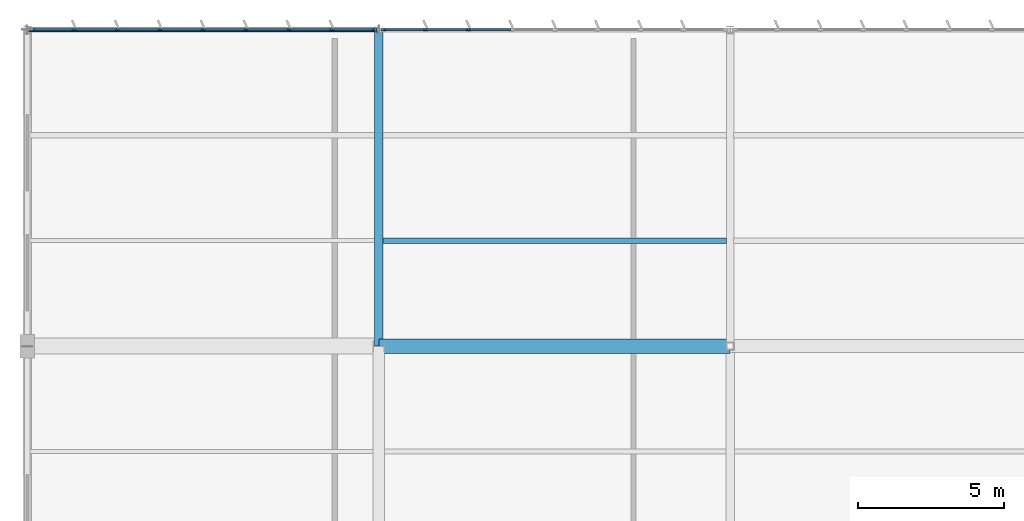
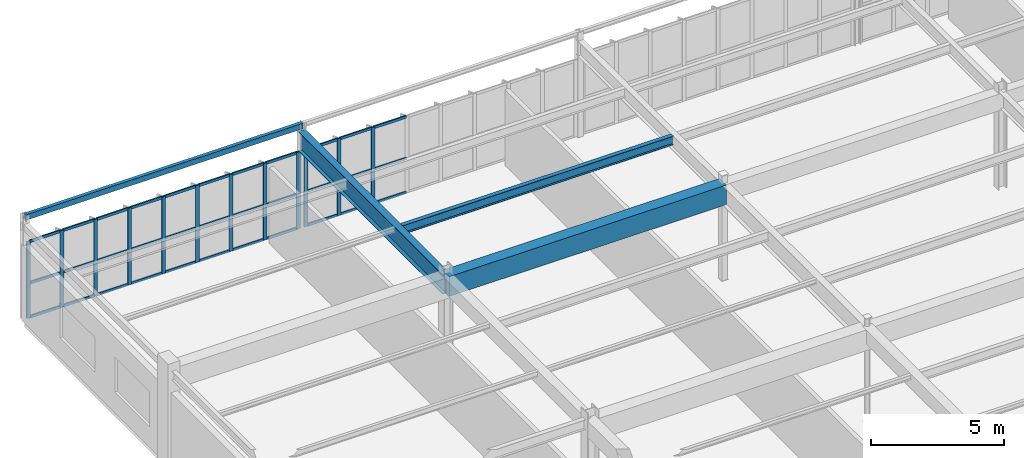
# One storey, part 91 of 226: 45 members, 4 beams, 2 elements without a shape of their own.
"""IFC4 building model written with IfcOpenShell, lengths in metres."""

from ifc_helpers import new_model, si_unit, direction, frame, origin, origin_2d, place, context, subcontext, project, spatial, rectangle, hollow_rectangle, i_section, extrude, material, layer, layer_set, material_profile, profile_set, type_object, element, aggregate, save


model = new_model("IFC4")

# Units and contexts
model_context = context("Model", 3, precision=1e-05, world=origin(), true_north=direction((0.0, 1.0)))
body_context = subcontext(model_context, "Body", "Model", "MODEL_VIEW")
ifc_project = project(units=[si_unit("LENGTHUNIT", "METRE"), si_unit("AREAUNIT", "SQUARE_METRE"), si_unit("VOLUMEUNIT", "CUBIC_METRE"), si_unit("PLANEANGLEUNIT", "RADIAN"), si_unit("MASSUNIT", "GRAM", prefix="KILO")], contexts=[model_context])

# Site, building, storey
site_placement = place(None, origin())
site = spatial("IfcSite", under=ifc_project, at=site_placement, CompositionType="ELEMENT")
building_placement = place(site_placement, origin())
building = spatial("IfcBuilding", under=site, at=building_placement, Name="Tarnwether General Hospital", CompositionType="ELEMENT")
storey_placement = place(building_placement, frame((0.0, 0.0, 4.800048828125)))
storey = spatial("IfcBuildingStorey", under=building, at=storey_placement, Name="L01", CompositionType="ELEMENT", Elevation=4.800048828125)

# Beams
ifc_material_1 = material(Name="Steel Grade 350 (350 MPa)", Category="steel")
ifc_material_profile_1 = material_profile(ifc_material_1, i_section(OverallWidth=0.300048828125, OverallDepth=0.89990234375, WebThickness=0.011962890625, FlangeThickness=0.02001953125, at=origin_2d()), Name="900WB175")
ifc_profile_set_1 = profile_set([ifc_material_profile_1], Name="Steel Grade 350 (350 MPa)")
beam_type_1 = type_object("IfcBeamType", Name="BM-G01", PredefinedType="BEAM", material=ifc_profile_set_1)
beam_1_placement = place(storey_placement, frame((12.0, 115.199951171875, 3.97998046875), z_axis=(0.0, 1.0, 0.0), x_axis=(-1.0, 0.0, 0.0)))
element("IfcBeam", 1, at=beam_1_placement, inside=storey, type_object=beam_type_1, Name="Primary Girder BMG-L01-1200_11520-1200_12600-1073", PredefinedType="BEAM", context=body_context, shape_type="SweptSolid", body=[
    extrude(i_section(OverallWidth=0.300048828125, OverallDepth=0.89990234375, WebThickness=0.011962890625, FlangeThickness=0.02001953125, at=origin_2d()), origin(), (0.0, 0.0, 1.0), 10.800048828125),
])
ifc_material_2 = material(Name="Concrete 40 MPa", Category="concrete")
ifc_material_profile_2 = material_profile(ifc_material_2, rectangle(XDim=0.5, YDim=0.89990234375, at=origin_2d()), Name="RC-BM-500x900")
ifc_profile_set_2 = profile_set([ifc_material_profile_2], Name="Concrete 40 MPa")
beam_type_2 = type_object("IfcBeamType", Name="BM-G12", PredefinedType="BEAM", material=ifc_profile_set_2)
beam_2_placement = place(storey_placement, frame((12.0, 115.199951171875, 3.97998046875), z_axis=(1.0, 0.0, 0.0), x_axis=(0.0, 1.0, 0.0)))
element("IfcBeam", 2, at=beam_2_placement, inside=storey, type_object=beam_type_2, Name="Primary Girder BMG-L01-1200_11520-2400_11520-1072", PredefinedType="BEAM", context=body_context, shape_type="SweptSolid", body=[
    extrude(rectangle(XDim=0.5, YDim=0.89990234375, at=origin_2d()), origin(), (0.0, 0.0, 1.0), 12.0),
])
ifc_material_3 = material(Name="Steel Grade 350 (350 MPa)", Category="steel")
ifc_material_profile_3 = material_profile(ifc_material_3, i_section(OverallWidth=0.177978515625, OverallDepth=0.406005859375, WebThickness=0.0078125, FlangeThickness=0.0126953125, at=origin_2d()), Name="410UB59.7")
ifc_profile_set_3 = profile_set([ifc_material_profile_3], Name="Steel Grade 350 (350 MPa)")
beam_type_3 = type_object("IfcBeamType", Name="BM-J01", PredefinedType="JOIST", material=ifc_profile_set_3)
beam_3_placement = place(storey_placement, frame((12.14404296875, 118.800048828125, 4.22705078125), z_axis=(1.0, 0.0, 0.0), x_axis=(0.0, 1.0, 0.0)))
element("IfcBeam", 3, at=beam_3_placement, inside=storey, type_object=beam_type_3, Name="Composite Floor Joist BMG-L01-1214_11880-2388_11880-1317", PredefinedType="JOIST", context=body_context, shape_type="SweptSolid", body=[
    extrude(i_section(OverallWidth=0.177978515625, OverallDepth=0.406005859375, WebThickness=0.0078125, FlangeThickness=0.0126953125, at=origin_2d()), origin(), (0.0, 0.0, 1.0), 11.737060546875),
])
ifc_material_4 = material(Name="Steel Grade C350L0 (350 MPa)", Category="steel")
ifc_material_profile_4 = material_profile(ifc_material_4, hollow_rectangle(XDim=0.14990234375, YDim=0.25, WallThickness=0.010009765625, at=origin_2d()), Name="RHS250x150x10")
ifc_profile_set_4 = profile_set([ifc_material_profile_4], Name="Steel Grade C350L0 (350 MPa)")
beam_type_4 = type_object("IfcBeamType", Name="BM-SP4", PredefinedType="SPANDREL", material=ifc_profile_set_4)
beam_4_placement = place(storey_placement, frame((0.0, 126.0, 4.675048828125), z_axis=(1.0, 0.0, 0.0), x_axis=(0.0, 1.0, 0.0)))
element("IfcBeam", 4, at=beam_4_placement, inside=storey, type_object=beam_type_4, Name="Primary Girder BMG-L01-0_12600-1200_12600-1059", PredefinedType="SPANDREL", context=body_context, shape_type="SweptSolid", body=[
    extrude(hollow_rectangle(XDim=0.14990234375, YDim=0.25, WallThickness=0.010009765625, at=origin_2d()), origin(), (0.0, 0.0, 1.0), 12.0),
])

# Curtain wall, members
ifc_material_5 = material(Name="Anodised aluminium", Category="aluminium")
ifc_layer = layer(ifc_material_5, 0.159912109375)
ifc_layer_set = layer_set([ifc_layer], Name="Anodised aluminium")
curtain_wall_type = type_object("IfcCurtainWallType", Name="CW-12", PredefinedType="NOTDEFINED", material=ifc_layer_set)
curtain_wall_1_placement = place(storey_placement, origin())
curtain_wall_1 = element("IfcCurtainWall", 5, at=curtain_wall_1_placement, inside=storey, type_object=curtain_wall_type, Name="Curtain Wall CWG-L01-1_1260-0317", PredefinedType="NOTDEFINED")
ifc_material_6 = material(Name="Anodised aluminium", Category="aluminium")
ifc_material_profile_5 = material_profile(ifc_material_6, rectangle(XDim=0.06005859375, YDim=0.159912109375, at=origin_2d()), Name="ALU-MUL-60x160")
ifc_profile_set_5 = profile_set([ifc_material_profile_5], Name="Anodised aluminium")
member_type_1 = type_object("IfcMemberType", Name="CW-ML1", PredefinedType="MULLION", material=ifc_profile_set_5)
member_1_placement = place(storey_placement, frame((0.1650390625, 126.0, 0.0), z_axis=(0.0, 0.0, 1.0), x_axis=(0.0, 1.0, 0.0)))
member_1 = element("IfcMember", 6, at=member_1_placement, type_object=member_type_1, Name="CW-12 mullion 1", PredefinedType="MULLION", context=body_context, shape_type="SweptSolid", body=[
    extrude(rectangle(XDim=0.06005859375, YDim=0.159912109375, at=origin_2d()), origin(), (0.0, 0.0, 1.0), 3.514892578125),
])
member_2_placement = place(storey_placement, frame((1.601318359375, 126.0, 0.0), z_axis=(0.0, 0.0, 1.0), x_axis=(0.0, 1.0, 0.0)))
member_2 = element("IfcMember", 7, at=member_2_placement, type_object=member_type_1, Name="CW-12 mullion 2", PredefinedType="MULLION", context=body_context, shape_type="SweptSolid", body=[
    extrude(rectangle(XDim=0.06005859375, YDim=0.159912109375, at=origin_2d()), origin(), (0.0, 0.0, 1.0), 3.514892578125),
])
member_3_placement = place(storey_placement, frame((3.0673828125, 126.0, 0.0), z_axis=(0.0, 0.0, 1.0), x_axis=(0.0, 1.0, 0.0)))
member_3 = element("IfcMember", 8, at=member_3_placement, type_object=member_type_1, Name="CW-12 mullion 3", PredefinedType="MULLION", context=body_context, shape_type="SweptSolid", body=[
    extrude(rectangle(XDim=0.06005859375, YDim=0.159912109375, at=origin_2d()), origin(), (0.0, 0.0, 1.0), 3.514892578125),
])
member_4_placement = place(storey_placement, frame((4.53369140625, 126.0, 0.0), z_axis=(0.0, 0.0, 1.0), x_axis=(0.0, 1.0, 0.0)))
member_4 = element("IfcMember", 9, at=member_4_placement, type_object=member_type_1, Name="CW-12 mullion 4", PredefinedType="MULLION", context=body_context, shape_type="SweptSolid", body=[
    extrude(rectangle(XDim=0.06005859375, YDim=0.159912109375, at=origin_2d()), origin(), (0.0, 0.0, 1.0), 3.514892578125),
])
member_5_placement = place(storey_placement, frame((6.0, 126.0, 0.0), z_axis=(0.0, 0.0, 1.0), x_axis=(0.0, 1.0, 0.0)))
member_5 = element("IfcMember", 10, at=member_5_placement, type_object=member_type_1, Name="CW-12 mullion 5", PredefinedType="MULLION", context=body_context, shape_type="SweptSolid", body=[
    extrude(rectangle(XDim=0.06005859375, YDim=0.159912109375, at=origin_2d()), origin(), (0.0, 0.0, 1.0), 3.514892578125),
])
member_6_placement = place(storey_placement, frame((7.46630859375, 126.0, 0.0), z_axis=(0.0, 0.0, 1.0), x_axis=(0.0, 1.0, 0.0)))
member_6 = element("IfcMember", 11, at=member_6_placement, type_object=member_type_1, Name="CW-12 mullion 6", PredefinedType="MULLION", context=body_context, shape_type="SweptSolid", body=[
    extrude(rectangle(XDim=0.06005859375, YDim=0.159912109375, at=origin_2d()), origin(), (0.0, 0.0, 1.0), 3.514892578125),
])
member_7_placement = place(storey_placement, frame((8.9326171875, 126.0, 0.0), z_axis=(0.0, 0.0, 1.0), x_axis=(0.0, 1.0, 0.0)))
member_7 = element("IfcMember", 12, at=member_7_placement, type_object=member_type_1, Name="CW-12 mullion 7", PredefinedType="MULLION", context=body_context, shape_type="SweptSolid", body=[
    extrude(rectangle(XDim=0.06005859375, YDim=0.159912109375, at=origin_2d()), origin(), (0.0, 0.0, 1.0), 3.514892578125),
])
member_8_placement = place(storey_placement, frame((10.398681640625, 126.0, 0.0), z_axis=(0.0, 0.0, 1.0), x_axis=(0.0, 1.0, 0.0)))
member_8 = element("IfcMember", 13, at=member_8_placement, type_object=member_type_1, Name="CW-12 mullion 8", PredefinedType="MULLION", context=body_context, shape_type="SweptSolid", body=[
    extrude(rectangle(XDim=0.06005859375, YDim=0.159912109375, at=origin_2d()), origin(), (0.0, 0.0, 1.0), 3.514892578125),
])
member_9_placement = place(storey_placement, frame((11.8349609375, 126.0, 0.0), z_axis=(0.0, 0.0, 1.0), x_axis=(0.0, 1.0, 0.0)))
member_9 = element("IfcMember", 14, at=member_9_placement, type_object=member_type_1, Name="CW-12 mullion 9", PredefinedType="MULLION", context=body_context, shape_type="SweptSolid", body=[
    extrude(rectangle(XDim=0.06005859375, YDim=0.159912109375, at=origin_2d()), origin(), (0.0, 0.0, 1.0), 3.514892578125),
])

curtain_wall_2_placement = place(storey_placement, origin())
curtain_wall_2 = element("IfcCurtainWall", 15, at=curtain_wall_2_placement, inside=storey, type_object=curtain_wall_type, Name="Curtain Wall CWG-L01-121_1260-0318", PredefinedType="NOTDEFINED")
member_10_placement = place(storey_placement, frame((12.1650390625, 126.0, 0.0), z_axis=(0.0, 0.0, 1.0), x_axis=(0.0, 1.0, 0.0)))
member_10 = element("IfcMember", 16, at=member_10_placement, type_object=member_type_1, Name="CW-12 mullion 1", PredefinedType="MULLION", context=body_context, shape_type="SweptSolid", body=[
    extrude(rectangle(XDim=0.06005859375, YDim=0.159912109375, at=origin_2d()), origin(), (0.0, 0.0, 1.0), 3.514892578125),
])
member_11_placement = place(storey_placement, frame((13.601318359375, 126.0, 0.0), z_axis=(0.0, 0.0, 1.0), x_axis=(0.0, 1.0, 0.0)))
member_11 = element("IfcMember", 17, at=member_11_placement, type_object=member_type_1, Name="CW-12 mullion 2", PredefinedType="MULLION", context=body_context, shape_type="SweptSolid", body=[
    extrude(rectangle(XDim=0.06005859375, YDim=0.159912109375, at=origin_2d()), origin(), (0.0, 0.0, 1.0), 3.514892578125),
])
member_12_placement = place(storey_placement, frame((15.0673828125, 126.0, 0.0), z_axis=(0.0, 0.0, 1.0), x_axis=(0.0, 1.0, 0.0)))
member_12 = element("IfcMember", 18, at=member_12_placement, type_object=member_type_1, Name="CW-12 mullion 3", PredefinedType="MULLION", context=body_context, shape_type="SweptSolid", body=[
    extrude(rectangle(XDim=0.06005859375, YDim=0.159912109375, at=origin_2d()), origin(), (0.0, 0.0, 1.0), 3.514892578125),
])

# Member
ifc_material_7 = material(Name="Anodised aluminium", Category="aluminium")
ifc_material_profile_6 = material_profile(ifc_material_7, rectangle(XDim=0.06005859375, YDim=0.1201171875, at=origin_2d()), Name="ALU-TRN-60x120")
ifc_profile_set_6 = profile_set([ifc_material_profile_6], Name="Anodised aluminium")
member_type_2 = type_object("IfcMemberType", Name="CW-TR1", PredefinedType="USERDEFINED", material=ifc_profile_set_6)
member_13_placement = place(storey_placement, frame((0.195068359375, 126.0, 0.030029296875), z_axis=(1.0, 0.0, 0.0), x_axis=(0.0, 1.0, 0.0)))
member_13 = element("IfcMember", 19, at=member_13_placement, type_object=member_type_2, Name="CW-12 transom 1.1", ObjectType="TRANSOM", PredefinedType="USERDEFINED", context=body_context, shape_type="SweptSolid", body=[
    extrude(rectangle(XDim=0.06005859375, YDim=0.1201171875, at=origin_2d()), origin(), (0.0, 0.0, 1.0), 1.376220703125),
])

member_14_placement = place(storey_placement, frame((0.195068359375, 126.0, 1.581787109375), z_axis=(1.0, 0.0, 0.0), x_axis=(0.0, 1.0, 0.0)))
member_14 = element("IfcMember", 20, at=member_14_placement, type_object=member_type_2, Name="CW-12 transom 1.2", ObjectType="TRANSOM", PredefinedType="USERDEFINED", context=body_context, shape_type="SweptSolid", body=[
    extrude(rectangle(XDim=0.06005859375, YDim=0.1201171875, at=origin_2d()), origin(), (0.0, 0.0, 1.0), 1.376220703125),
])

member_15_placement = place(storey_placement, frame((0.195068359375, 126.0, 3.48486328125), z_axis=(1.0, 0.0, 0.0), x_axis=(0.0, 1.0, 0.0)))
member_15 = element("IfcMember", 21, at=member_15_placement, type_object=member_type_2, Name="CW-12 transom 1.3", ObjectType="TRANSOM", PredefinedType="USERDEFINED", context=body_context, shape_type="SweptSolid", body=[
    extrude(rectangle(XDim=0.06005859375, YDim=0.1201171875, at=origin_2d()), origin(), (0.0, 0.0, 1.0), 1.376220703125),
])

member_16_placement = place(storey_placement, frame((1.63134765625, 126.0, 0.030029296875), z_axis=(1.0, 0.0, 0.0), x_axis=(0.0, 1.0, 0.0)))
member_16 = element("IfcMember", 22, at=member_16_placement, type_object=member_type_2, Name="CW-12 transom 2.1", ObjectType="TRANSOM", PredefinedType="USERDEFINED", context=body_context, shape_type="SweptSolid", body=[
    extrude(rectangle(XDim=0.06005859375, YDim=0.1201171875, at=origin_2d()), origin(), (0.0, 0.0, 1.0), 1.40625),
])

member_17_placement = place(storey_placement, frame((1.63134765625, 126.0, 1.581787109375), z_axis=(1.0, 0.0, 0.0), x_axis=(0.0, 1.0, 0.0)))
member_17 = element("IfcMember", 23, at=member_17_placement, type_object=member_type_2, Name="CW-12 transom 2.2", ObjectType="TRANSOM", PredefinedType="USERDEFINED", context=body_context, shape_type="SweptSolid", body=[
    extrude(rectangle(XDim=0.06005859375, YDim=0.1201171875, at=origin_2d()), origin(), (0.0, 0.0, 1.0), 1.40625),
])

member_18_placement = place(storey_placement, frame((1.63134765625, 126.0, 3.48486328125), z_axis=(1.0, 0.0, 0.0), x_axis=(0.0, 1.0, 0.0)))
member_18 = element("IfcMember", 24, at=member_18_placement, type_object=member_type_2, Name="CW-12 transom 2.3", ObjectType="TRANSOM", PredefinedType="USERDEFINED", context=body_context, shape_type="SweptSolid", body=[
    extrude(rectangle(XDim=0.06005859375, YDim=0.1201171875, at=origin_2d()), origin(), (0.0, 0.0, 1.0), 1.40625),
])

member_19_placement = place(storey_placement, frame((3.097412109375, 126.0, 0.030029296875), z_axis=(1.0, 0.0, 0.0), x_axis=(0.0, 1.0, 0.0)))
member_19 = element("IfcMember", 25, at=member_19_placement, type_object=member_type_2, Name="CW-12 transom 3.1", ObjectType="TRANSOM", PredefinedType="USERDEFINED", context=body_context, shape_type="SweptSolid", body=[
    extrude(rectangle(XDim=0.06005859375, YDim=0.1201171875, at=origin_2d()), origin(), (0.0, 0.0, 1.0), 1.40625),
])

member_20_placement = place(storey_placement, frame((3.097412109375, 126.0, 1.581787109375), z_axis=(1.0, 0.0, 0.0), x_axis=(0.0, 1.0, 0.0)))
member_20 = element("IfcMember", 26, at=member_20_placement, type_object=member_type_2, Name="CW-12 transom 3.2", ObjectType="TRANSOM", PredefinedType="USERDEFINED", context=body_context, shape_type="SweptSolid", body=[
    extrude(rectangle(XDim=0.06005859375, YDim=0.1201171875, at=origin_2d()), origin(), (0.0, 0.0, 1.0), 1.40625),
])

member_21_placement = place(storey_placement, frame((3.097412109375, 126.0, 3.48486328125), z_axis=(1.0, 0.0, 0.0), x_axis=(0.0, 1.0, 0.0)))
member_21 = element("IfcMember", 27, at=member_21_placement, type_object=member_type_2, Name="CW-12 transom 3.3", ObjectType="TRANSOM", PredefinedType="USERDEFINED", context=body_context, shape_type="SweptSolid", body=[
    extrude(rectangle(XDim=0.06005859375, YDim=0.1201171875, at=origin_2d()), origin(), (0.0, 0.0, 1.0), 1.40625),
])

member_22_placement = place(storey_placement, frame((4.563720703125, 126.0, 0.030029296875), z_axis=(1.0, 0.0, 0.0), x_axis=(0.0, 1.0, 0.0)))
member_22 = element("IfcMember", 28, at=member_22_placement, type_object=member_type_2, Name="CW-12 transom 4.1", ObjectType="TRANSOM", PredefinedType="USERDEFINED", context=body_context, shape_type="SweptSolid", body=[
    extrude(rectangle(XDim=0.06005859375, YDim=0.1201171875, at=origin_2d()), origin(), (0.0, 0.0, 1.0), 1.40625),
])

member_23_placement = place(storey_placement, frame((4.563720703125, 126.0, 1.581787109375), z_axis=(1.0, 0.0, 0.0), x_axis=(0.0, 1.0, 0.0)))
member_23 = element("IfcMember", 29, at=member_23_placement, type_object=member_type_2, Name="CW-12 transom 4.2", ObjectType="TRANSOM", PredefinedType="USERDEFINED", context=body_context, shape_type="SweptSolid", body=[
    extrude(rectangle(XDim=0.06005859375, YDim=0.1201171875, at=origin_2d()), origin(), (0.0, 0.0, 1.0), 1.40625),
])

member_24_placement = place(storey_placement, frame((4.563720703125, 126.0, 3.48486328125), z_axis=(1.0, 0.0, 0.0), x_axis=(0.0, 1.0, 0.0)))
member_24 = element("IfcMember", 30, at=member_24_placement, type_object=member_type_2, Name="CW-12 transom 4.3", ObjectType="TRANSOM", PredefinedType="USERDEFINED", context=body_context, shape_type="SweptSolid", body=[
    extrude(rectangle(XDim=0.06005859375, YDim=0.1201171875, at=origin_2d()), origin(), (0.0, 0.0, 1.0), 1.40625),
])

member_25_placement = place(storey_placement, frame((6.030029296875, 126.0, 0.030029296875), z_axis=(1.0, 0.0, 0.0), x_axis=(0.0, 1.0, 0.0)))
member_25 = element("IfcMember", 31, at=member_25_placement, type_object=member_type_2, Name="CW-12 transom 5.1", ObjectType="TRANSOM", PredefinedType="USERDEFINED", context=body_context, shape_type="SweptSolid", body=[
    extrude(rectangle(XDim=0.06005859375, YDim=0.1201171875, at=origin_2d()), origin(), (0.0, 0.0, 1.0), 1.40625),
])

member_26_placement = place(storey_placement, frame((6.030029296875, 126.0, 1.581787109375), z_axis=(1.0, 0.0, 0.0), x_axis=(0.0, 1.0, 0.0)))
member_26 = element("IfcMember", 32, at=member_26_placement, type_object=member_type_2, Name="CW-12 transom 5.2", ObjectType="TRANSOM", PredefinedType="USERDEFINED", context=body_context, shape_type="SweptSolid", body=[
    extrude(rectangle(XDim=0.06005859375, YDim=0.1201171875, at=origin_2d()), origin(), (0.0, 0.0, 1.0), 1.40625),
])

member_27_placement = place(storey_placement, frame((6.030029296875, 126.0, 3.48486328125), z_axis=(1.0, 0.0, 0.0), x_axis=(0.0, 1.0, 0.0)))
member_27 = element("IfcMember", 33, at=member_27_placement, type_object=member_type_2, Name="CW-12 transom 5.3", ObjectType="TRANSOM", PredefinedType="USERDEFINED", context=body_context, shape_type="SweptSolid", body=[
    extrude(rectangle(XDim=0.06005859375, YDim=0.1201171875, at=origin_2d()), origin(), (0.0, 0.0, 1.0), 1.40625),
])

member_28_placement = place(storey_placement, frame((7.496337890625, 126.0, 0.030029296875), z_axis=(1.0, 0.0, 0.0), x_axis=(0.0, 1.0, 0.0)))
member_28 = element("IfcMember", 34, at=member_28_placement, type_object=member_type_2, Name="CW-12 transom 6.1", ObjectType="TRANSOM", PredefinedType="USERDEFINED", context=body_context, shape_type="SweptSolid", body=[
    extrude(rectangle(XDim=0.06005859375, YDim=0.1201171875, at=origin_2d()), origin(), (0.0, 0.0, 1.0), 1.40625),
])

member_29_placement = place(storey_placement, frame((7.496337890625, 126.0, 1.581787109375), z_axis=(1.0, 0.0, 0.0), x_axis=(0.0, 1.0, 0.0)))
member_29 = element("IfcMember", 35, at=member_29_placement, type_object=member_type_2, Name="CW-12 transom 6.2", ObjectType="TRANSOM", PredefinedType="USERDEFINED", context=body_context, shape_type="SweptSolid", body=[
    extrude(rectangle(XDim=0.06005859375, YDim=0.1201171875, at=origin_2d()), origin(), (0.0, 0.0, 1.0), 1.40625),
])

member_30_placement = place(storey_placement, frame((7.496337890625, 126.0, 3.48486328125), z_axis=(1.0, 0.0, 0.0), x_axis=(0.0, 1.0, 0.0)))
member_30 = element("IfcMember", 36, at=member_30_placement, type_object=member_type_2, Name="CW-12 transom 6.3", ObjectType="TRANSOM", PredefinedType="USERDEFINED", context=body_context, shape_type="SweptSolid", body=[
    extrude(rectangle(XDim=0.06005859375, YDim=0.1201171875, at=origin_2d()), origin(), (0.0, 0.0, 1.0), 1.40625),
])

member_31_placement = place(storey_placement, frame((8.96240234375, 126.0, 0.030029296875), z_axis=(1.0, 0.0, 0.0), x_axis=(0.0, 1.0, 0.0)))
member_31 = element("IfcMember", 37, at=member_31_placement, type_object=member_type_2, Name="CW-12 transom 7.1", ObjectType="TRANSOM", PredefinedType="USERDEFINED", context=body_context, shape_type="SweptSolid", body=[
    extrude(rectangle(XDim=0.06005859375, YDim=0.1201171875, at=origin_2d()), origin(), (0.0, 0.0, 1.0), 1.40625),
])

member_32_placement = place(storey_placement, frame((8.96240234375, 126.0, 1.581787109375), z_axis=(1.0, 0.0, 0.0), x_axis=(0.0, 1.0, 0.0)))
member_32 = element("IfcMember", 38, at=member_32_placement, type_object=member_type_2, Name="CW-12 transom 7.2", ObjectType="TRANSOM", PredefinedType="USERDEFINED", context=body_context, shape_type="SweptSolid", body=[
    extrude(rectangle(XDim=0.06005859375, YDim=0.1201171875, at=origin_2d()), origin(), (0.0, 0.0, 1.0), 1.40625),
])

member_33_placement = place(storey_placement, frame((8.96240234375, 126.0, 3.48486328125), z_axis=(1.0, 0.0, 0.0), x_axis=(0.0, 1.0, 0.0)))
member_33 = element("IfcMember", 39, at=member_33_placement, type_object=member_type_2, Name="CW-12 transom 7.3", ObjectType="TRANSOM", PredefinedType="USERDEFINED", context=body_context, shape_type="SweptSolid", body=[
    extrude(rectangle(XDim=0.06005859375, YDim=0.1201171875, at=origin_2d()), origin(), (0.0, 0.0, 1.0), 1.40625),
])

member_34_placement = place(storey_placement, frame((10.4287109375, 126.0, 0.030029296875), z_axis=(1.0, 0.0, 0.0), x_axis=(0.0, 1.0, 0.0)))
member_34 = element("IfcMember", 40, at=member_34_placement, type_object=member_type_2, Name="CW-12 transom 8.1", ObjectType="TRANSOM", PredefinedType="USERDEFINED", context=body_context, shape_type="SweptSolid", body=[
    extrude(rectangle(XDim=0.06005859375, YDim=0.1201171875, at=origin_2d()), origin(), (0.0, 0.0, 1.0), 1.376220703125),
])

member_35_placement = place(storey_placement, frame((10.4287109375, 126.0, 1.581787109375), z_axis=(1.0, 0.0, 0.0), x_axis=(0.0, 1.0, 0.0)))
member_35 = element("IfcMember", 41, at=member_35_placement, type_object=member_type_2, Name="CW-12 transom 8.2", ObjectType="TRANSOM", PredefinedType="USERDEFINED", context=body_context, shape_type="SweptSolid", body=[
    extrude(rectangle(XDim=0.06005859375, YDim=0.1201171875, at=origin_2d()), origin(), (0.0, 0.0, 1.0), 1.376220703125),
])

member_36_placement = place(storey_placement, frame((10.4287109375, 126.0, 3.48486328125), z_axis=(1.0, 0.0, 0.0), x_axis=(0.0, 1.0, 0.0)))
member_36 = element("IfcMember", 42, at=member_36_placement, type_object=member_type_2, Name="CW-12 transom 8.3", ObjectType="TRANSOM", PredefinedType="USERDEFINED", context=body_context, shape_type="SweptSolid", body=[
    extrude(rectangle(XDim=0.06005859375, YDim=0.1201171875, at=origin_2d()), origin(), (0.0, 0.0, 1.0), 1.376220703125),
])

aggregate(curtain_wall_1, [member_1, member_2, member_3, member_4, member_5, member_6, member_7, member_8, member_9, member_13, member_14, member_15, member_16, member_17, member_18, member_19, member_20, member_21, member_22, member_23, member_24, member_25, member_26, member_27, member_28, member_29, member_30, member_31, member_32, member_33, member_34, member_35, member_36])

member_37_placement = place(storey_placement, frame((12.195068359375, 126.0, 0.030029296875), z_axis=(1.0, 0.0, 0.0), x_axis=(0.0, 1.0, 0.0)))
member_37 = element("IfcMember", 43, at=member_37_placement, type_object=member_type_2, Name="CW-12 transom 1.1", ObjectType="TRANSOM", PredefinedType="USERDEFINED", context=body_context, shape_type="SweptSolid", body=[
    extrude(rectangle(XDim=0.06005859375, YDim=0.1201171875, at=origin_2d()), origin(), (0.0, 0.0, 1.0), 1.376220703125),
])

member_38_placement = place(storey_placement, frame((12.195068359375, 126.0, 1.581787109375), z_axis=(1.0, 0.0, 0.0), x_axis=(0.0, 1.0, 0.0)))
member_38 = element("IfcMember", 44, at=member_38_placement, type_object=member_type_2, Name="CW-12 transom 1.2", ObjectType="TRANSOM", PredefinedType="USERDEFINED", context=body_context, shape_type="SweptSolid", body=[
    extrude(rectangle(XDim=0.06005859375, YDim=0.1201171875, at=origin_2d()), origin(), (0.0, 0.0, 1.0), 1.376220703125),
])

member_39_placement = place(storey_placement, frame((12.195068359375, 126.0, 3.48486328125), z_axis=(1.0, 0.0, 0.0), x_axis=(0.0, 1.0, 0.0)))
member_39 = element("IfcMember", 45, at=member_39_placement, type_object=member_type_2, Name="CW-12 transom 1.3", ObjectType="TRANSOM", PredefinedType="USERDEFINED", context=body_context, shape_type="SweptSolid", body=[
    extrude(rectangle(XDim=0.06005859375, YDim=0.1201171875, at=origin_2d()), origin(), (0.0, 0.0, 1.0), 1.376220703125),
])

member_40_placement = place(storey_placement, frame((13.63134765625, 126.0, 0.030029296875), z_axis=(1.0, 0.0, 0.0), x_axis=(0.0, 1.0, 0.0)))
member_40 = element("IfcMember", 46, at=member_40_placement, type_object=member_type_2, Name="CW-12 transom 2.1", ObjectType="TRANSOM", PredefinedType="USERDEFINED", context=body_context, shape_type="SweptSolid", body=[
    extrude(rectangle(XDim=0.06005859375, YDim=0.1201171875, at=origin_2d()), origin(), (0.0, 0.0, 1.0), 1.40625),
])

member_41_placement = place(storey_placement, frame((13.63134765625, 126.0, 1.581787109375), z_axis=(1.0, 0.0, 0.0), x_axis=(0.0, 1.0, 0.0)))
member_41 = element("IfcMember", 47, at=member_41_placement, type_object=member_type_2, Name="CW-12 transom 2.2", ObjectType="TRANSOM", PredefinedType="USERDEFINED", context=body_context, shape_type="SweptSolid", body=[
    extrude(rectangle(XDim=0.06005859375, YDim=0.1201171875, at=origin_2d()), origin(), (0.0, 0.0, 1.0), 1.40625),
])

member_42_placement = place(storey_placement, frame((13.63134765625, 126.0, 3.48486328125), z_axis=(1.0, 0.0, 0.0), x_axis=(0.0, 1.0, 0.0)))
member_42 = element("IfcMember", 48, at=member_42_placement, type_object=member_type_2, Name="CW-12 transom 2.3", ObjectType="TRANSOM", PredefinedType="USERDEFINED", context=body_context, shape_type="SweptSolid", body=[
    extrude(rectangle(XDim=0.06005859375, YDim=0.1201171875, at=origin_2d()), origin(), (0.0, 0.0, 1.0), 1.40625),
])

member_43_placement = place(storey_placement, frame((15.097412109375, 126.0, 0.030029296875), z_axis=(1.0, 0.0, 0.0), x_axis=(0.0, 1.0, 0.0)))
member_43 = element("IfcMember", 49, at=member_43_placement, type_object=member_type_2, Name="CW-12 transom 3.1", ObjectType="TRANSOM", PredefinedType="USERDEFINED", context=body_context, shape_type="SweptSolid", body=[
    extrude(rectangle(XDim=0.06005859375, YDim=0.1201171875, at=origin_2d()), origin(), (0.0, 0.0, 1.0), 1.40625),
])

member_44_placement = place(storey_placement, frame((15.097412109375, 126.0, 1.581787109375), z_axis=(1.0, 0.0, 0.0), x_axis=(0.0, 1.0, 0.0)))
member_44 = element("IfcMember", 50, at=member_44_placement, type_object=member_type_2, Name="CW-12 transom 3.2", ObjectType="TRANSOM", PredefinedType="USERDEFINED", context=body_context, shape_type="SweptSolid", body=[
    extrude(rectangle(XDim=0.06005859375, YDim=0.1201171875, at=origin_2d()), origin(), (0.0, 0.0, 1.0), 1.40625),
])

member_45_placement = place(storey_placement, frame((15.097412109375, 126.0, 3.48486328125), z_axis=(1.0, 0.0, 0.0), x_axis=(0.0, 1.0, 0.0)))
member_45 = element("IfcMember", 51, at=member_45_placement, type_object=member_type_2, Name="CW-12 transom 3.3", ObjectType="TRANSOM", PredefinedType="USERDEFINED", context=body_context, shape_type="SweptSolid", body=[
    extrude(rectangle(XDim=0.06005859375, YDim=0.1201171875, at=origin_2d()), origin(), (0.0, 0.0, 1.0), 1.40625),
])

aggregate(curtain_wall_2, [member_10, member_11, member_12, member_37, member_38, member_39, member_40, member_41, member_42, member_43, member_44, member_45])

save(model, "model.ifc")
